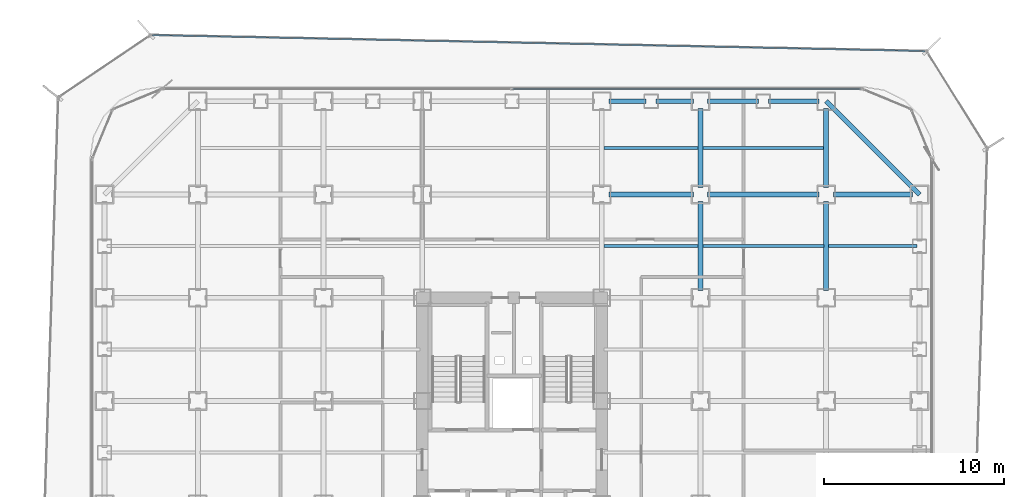
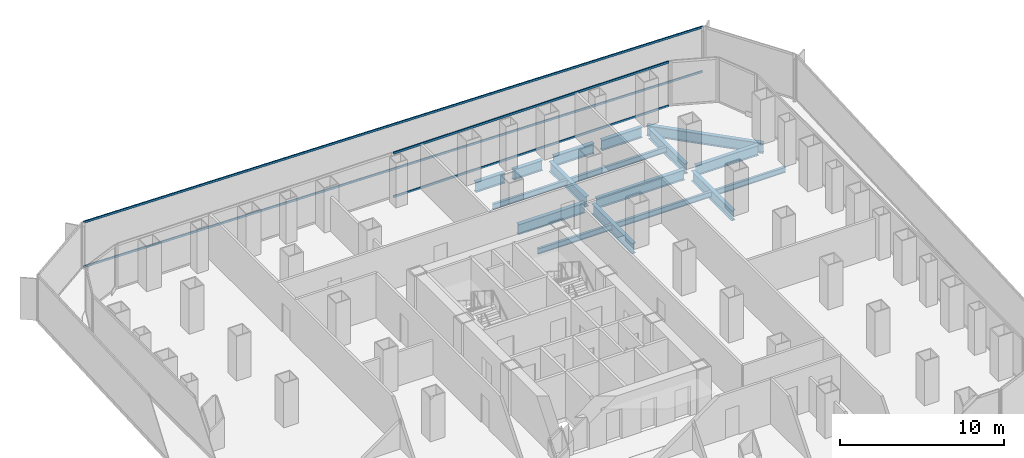
# One storey, part 14 of 21: 17 beams, 4 members, 2 elements without a shape of their own.
"""IFC4 building model written with IfcOpenShell, lengths in metres."""

import ifcopenshell
import ifcopenshell.guid

model = None  # the IFC model being written
_history = None  # IfcOwnerHistory: only IFC2X3 demands one
_inside = {}  # id of a spatial element -> (the spatial element, [elements in it])
_under = {}  # id of a project, library or spatial element -> (it, [spatial elements below it])
_declared = {}  # id of a project -> (the project, [libraries it declares])
_typed = {}  # id of a type object -> (the type object, [elements of that type])
_made_of = {}  # id of a material, layer set ... -> (it, [elements and type objects made of it])


def new_model(schema):
    """Start an empty IFC model of exactly this schema.

    Asked for "IFC4X3", IfcOpenShell would pick the latest addendum, in which some entities
    have other attributes; the version numbers below select the first issue.
    IFC2X3 requires an IfcOwnerHistory on every rooted entity: one is made here for all.
    """
    global model, _history
    if schema == "IFC4X3":
        model = ifcopenshell.file(schema_version=(4, 3, 0, 0))
    else:
        model = ifcopenshell.file(schema=schema)
    _inside.clear()
    _under.clear()
    _declared.clear()
    _typed.clear()
    _made_of.clear()
    _history = None
    if model.schema == "IFC2X3":
        org = make("IfcOrganization", Name="unknown")
        user = make(
            "IfcPersonAndOrganization",
            ThePerson=make("IfcPerson", FamilyName="unknown"),
            TheOrganization=org,
        )
        app = make(
            "IfcApplication",
            ApplicationDeveloper=org,
            Version="unknown",
            ApplicationFullName="unknown",
            ApplicationIdentifier="unknown",
        )
        _history = make(
            "IfcOwnerHistory",
            OwningUser=user,
            OwningApplication=app,
            ChangeAction="ADDED",
            CreationDate=0,
        )
    return model


def make(cls, **values):
    """One entity of the class cls with the attributes given. An attribute that is None is left unset."""
    return model.create_entity(
        cls, **{name: value for name, value in values.items() if value is not None}
    )


def rooted(cls, **values):
    """An entity with a GlobalId (a new one), such as an element, a storey or a relation."""
    return make(cls, GlobalId=ifcopenshell.guid.new(), OwnerHistory=_history, **values)


def si_unit(unit_type, name, prefix=None):
    """IfcSIUnit, for example si_unit("LENGTHUNIT", "METRE", prefix="MILLI")."""
    return make("IfcSIUnit", UnitType=unit_type, Prefix=prefix, Name=name)


def assignment(units):
    """IfcUnitAssignment: the units of a project."""
    return None if units is None else make("IfcUnitAssignment", Units=units)


def point(xyz):
    """IfcCartesianPoint."""
    return None if xyz is None else make("IfcCartesianPoint", Coordinates=xyz)


def direction(xyz):
    """IfcDirection."""
    return None if xyz is None else make("IfcDirection", DirectionRatios=xyz)


def frame(location, z_axis=None, x_axis=None):
    """IfcAxis2Placement3D, a coordinate frame: its origin and axes. An axis left out is left unset."""
    return make(
        "IfcAxis2Placement3D",
        Location=point(location),
        Axis=direction(z_axis),
        RefDirection=direction(x_axis),
    )


def frame_2d(location, x_axis=None):
    """IfcAxis2Placement2D, a coordinate frame in the plane: its origin and x axis."""
    return make(
        "IfcAxis2Placement2D", Location=point(location), RefDirection=direction(x_axis)
    )


def origin():
    """The frame at (0, 0, 0) with its axes left unset."""
    return frame((0.0, 0.0, 0.0))


def origin_2d():
    """The frame at (0, 0) in the plane with its x axis left unset."""
    return frame_2d((0.0, 0.0))


def place(relative_to, where):
    """IfcLocalPlacement: puts the frame where relative to a parent placement (None: the world)."""
    return make(
        "IfcLocalPlacement", PlacementRelTo=relative_to, RelativePlacement=where
    )


def context(
    kind, dimensions, precision=None, world=None, true_north=None, identifier=None
):
    """IfcGeometricRepresentationContext, for example the 3D "Model" context."""
    return make(
        "IfcGeometricRepresentationContext",
        ContextIdentifier=identifier,
        ContextType=kind,
        CoordinateSpaceDimension=dimensions,
        Precision=precision,
        WorldCoordinateSystem=world,
        TrueNorth=true_north,
    )


def subcontext(parent, identifier, kind, view, scale=None):
    """IfcGeometricRepresentationSubContext, for example "Body" below "Model"."""
    return make(
        "IfcGeometricRepresentationSubContext",
        ContextIdentifier=identifier,
        ContextType=kind,
        ParentContext=parent,
        TargetScale=scale,
        TargetView=view,
    )


def project(units=None, contexts=None):
    """IfcProject with its units and contexts."""
    return rooted(
        "IfcProject",
        Name="project",
        RepresentationContexts=contexts,
        UnitsInContext=assignment(units),
    )


def spatial(cls, under=None, at=None, **own):
    """A site, building, storey or space (cls), placed at a placement, below another one or the project."""
    s = rooted(cls, ObjectPlacement=at, **own)
    if under is not None:
        _under.setdefault(under.id(), (under, []))[1].append(s)
    return s


def profile(cls, at=None, kind="AREA", **sizes):
    """A parametric profile (cls). Its sizes go by their IFC names, for example OverallWidth=200.0."""
    return make(cls, ProfileType=kind, Position=at, **sizes)


def hollow_rectangle(**sizes):
    """IfcRectangleHollowProfileDef."""
    return profile("IfcRectangleHollowProfileDef", **sizes)


def i_section(**sizes):
    """IfcIShapeProfileDef."""
    return profile("IfcIShapeProfileDef", **sizes)


def extrude(swept, where, along, depth):
    """IfcExtrudedAreaSolid: the profile swept, set in the frame where, extruded along a direction by depth."""
    return make(
        "IfcExtrudedAreaSolid",
        SweptArea=swept,
        Position=where,
        ExtrudedDirection=direction(along),
        Depth=depth,
    )


def shape(context_of_items, identifier, shape_type, items):
    """IfcShapeRepresentation: the items that make up one representation, for example the "Body"."""
    return make(
        "IfcShapeRepresentation",
        ContextOfItems=context_of_items,
        RepresentationIdentifier=identifier,
        RepresentationType=shape_type,
        Items=items,
    )


def source(mapping_origin, context_of_items, identifier, shape_type, items):
    """IfcRepresentationMap: a shape defined once, which mapped items show again and again."""
    return make(
        "IfcRepresentationMap",
        MappingOrigin=mapping_origin,
        MappedRepresentation=shape(context_of_items, identifier, shape_type, items),
    )


def transform(
    local_origin,
    x_axis=None,
    y_axis=None,
    z_axis=None,
    scale=None,
    scale2=None,
    scale3=None,
    uniform=True,
):
    """IfcCartesianTransformationOperator3D, or its non-uniform kind. x_axis, y_axis, z_axis: its Axis1, 2, 3."""
    if uniform:
        return make(
            "IfcCartesianTransformationOperator3D",
            Axis1=direction(x_axis),
            Axis2=direction(y_axis),
            LocalOrigin=point(local_origin),
            Scale=scale,
            Axis3=direction(z_axis),
        )
    return make(
        "IfcCartesianTransformationOperator3DnonUniform",
        Axis1=direction(x_axis),
        Axis2=direction(y_axis),
        LocalOrigin=point(local_origin),
        Scale=scale,
        Axis3=direction(z_axis),
        Scale2=scale2,
        Scale3=scale3,
    )


def mapped(mapping_source, mapping_target):
    """IfcMappedItem: shows the shape of a source again, moved by a transform."""
    return make(
        "IfcMappedItem", MappingSource=mapping_source, MappingTarget=mapping_target
    )


def material(Name=None, Category=None):
    """IfcMaterial."""
    return make("IfcMaterial", Name=Name, Category=Category)


def layer(
    of_material, thickness, ventilated=None, Name=None, Category=None, Priority=None
):
    """IfcMaterialLayer: one layer of a wall or slab, of a material (None: an air gap)."""
    return make(
        "IfcMaterialLayer",
        Material=of_material,
        LayerThickness=thickness,
        IsVentilated=ventilated,
        Name=Name,
        Category=Category,
        Priority=Priority,
    )


def layer_set(layers, Name=None):
    """IfcMaterialLayerSet."""
    return make("IfcMaterialLayerSet", MaterialLayers=layers, LayerSetName=Name)


def material_profile(
    of_material, cross_section, Name=None, Category=None, Priority=None
):
    """IfcMaterialProfile: a cross section and its material."""
    return make(
        "IfcMaterialProfile",
        Name=Name,
        Material=of_material,
        Profile=cross_section,
        Priority=Priority,
        Category=Category,
    )


def profile_set(profiles, Name=None, composite=None):
    """IfcMaterialProfileSet."""
    return make(
        "IfcMaterialProfileSet",
        Name=Name,
        MaterialProfiles=profiles,
        CompositeProfile=composite,
    )


def made_of(thing, what):
    """Note that an element or type object is made of a material, layer set ...; save() writes the relation."""
    if what is not None:
        _made_of.setdefault(what.id(), (what, []))[1].append(thing)
    return thing


def type_object(cls, material=None, **own):
    """A type object (cls), such as IfcWallType, which elements share."""
    return made_of(rooted(cls, **own), material)


def element(
    cls,
    number,
    at=None,
    inside=None,
    cuts=None,
    type_object=None,
    material=None,
    context=None,
    identifier="Body",
    shape_type=None,
    held_by="IfcProductDefinitionShape",
    body=None,
    shapes=None,
    **own,
):
    """One element of the class cls, such as IfcWall. Its Tag is "e" and its number.

    at: its placement. inside: the storey or other place that contains it. cuts: it is an
    opening in that element (IfcRelVoidsElement). A single representation is given by context,
    identifier, shape_type and body (its items); several are given by shapes. held_by: the class
    of the entity that holds the representations. save() writes the other relations.
    """
    e = rooted(cls, Tag="e%d" % number, ObjectPlacement=at, **own)
    if body is not None:
        shapes = [shape(context, identifier, shape_type, body)]
    if shapes is not None:
        e.Representation = make(held_by, Representations=shapes)
    if inside is not None:
        _inside.setdefault(inside.id(), (inside, []))[1].append(e)
    if cuts is not None:
        rooted(
            "IfcRelVoidsElement", RelatingBuildingElement=cuts, RelatedOpeningElement=e
        )
    if type_object is not None:
        _typed.setdefault(type_object.id(), (type_object, []))[1].append(e)
    return made_of(e, material)


def aggregate(whole, parts):
    """IfcRelAggregates: a whole, such as a stair, and the parts it consists of."""
    return rooted("IfcRelAggregates", RelatingObject=whole, RelatedObjects=parts)


def save(model, path):
    """Write the relations noted so far, then the file.

    IfcRelAggregates (storeys below a building ...), IfcRelContainedInSpatialStructure (elements
    in a storey), IfcRelDefinesByType, IfcRelAssociatesMaterial and IfcRelDeclares: one each for
    every whole, place, type object, material and project.
    """
    for whole, parts in _under.values():
        aggregate(whole, parts)
    for where, things in _inside.values():
        rooted(
            "IfcRelContainedInSpatialStructure",
            RelatedElements=things,
            RelatingStructure=where,
        )
    for kind, things in _typed.values():
        rooted("IfcRelDefinesByType", RelatedObjects=things, RelatingType=kind)
    for what, things in _made_of.values():
        rooted("IfcRelAssociatesMaterial", RelatedObjects=things, RelatingMaterial=what)
    for by, libraries in _declared.values():
        rooted("IfcRelDeclares", RelatingContext=by, RelatedDefinitions=libraries)
    model.write(path)


model = new_model("IFC4")

# Units and contexts
model_context = context("Model", 3, precision=1e-05, world=origin(), true_north=direction((0.0, 1.0)))
body_context = subcontext(model_context, "Body", "Model", "MODEL_VIEW")
ifc_project = project(units=[si_unit("LENGTHUNIT", "METRE"), si_unit("AREAUNIT", "SQUARE_METRE"), si_unit("VOLUMEUNIT", "CUBIC_METRE"), si_unit("PLANEANGLEUNIT", "RADIAN"), si_unit("MASSUNIT", "GRAM", prefix="KILO")], contexts=[model_context])

# Site, building, storey
site_placement = place(None, origin())
site = spatial("IfcSite", under=ifc_project, at=site_placement, CompositionType="ELEMENT")
building_placement = place(site_placement, origin())
building = spatial("IfcBuilding", under=site, at=building_placement, Name="Kolveth Station Tower", CompositionType="ELEMENT")
storey_placement = place(building_placement, frame((0.0, 0.0, 47.699951171875)))
storey = spatial("IfcBuildingStorey", under=building, at=storey_placement, Name="L12", CompositionType="ELEMENT", Elevation=47.699951171875)

# Beams
ifc_material_1 = material(Name="Steel S355", Category="steel")
ifc_material_profile_1 = material_profile(ifc_material_1, i_section(OverallWidth=0.26904296875, OverallDepth=0.77490234375, WebThickness=0.01708984375, FlangeThickness=0.0283203125, at=origin_2d()), Name="W760x220")
ifc_profile_set_1 = profile_set([ifc_material_profile_1], Name="Steel S355")
beam_type_1 = type_object("IfcBeamType", Name="Beam_SP1", PredefinedType="SPANDREL", material=ifc_profile_set_1)
shared_shape_1 = source(origin(), body_context, "Body", "SweptSolid", [
    extrude(i_section(OverallWidth=0.26904296875, OverallDepth=0.77490234375, WebThickness=0.01708984375, FlangeThickness=0.0283203125, at=origin_2d()), origin(), (0.0, 0.0, 1.0), 7.353759765625),
])
beam_1_placement = place(storey_placement, frame((46.199951171875, 34.5, -0.66748046875), z_axis=(-0.707106781187, 0.707106781187, 0.0), x_axis=(-0.707106781187, -0.707106781187, 0.0)))
element("IfcBeam", 1, at=beam_1_placement, inside=storey, type_object=beam_type_1, Name="L12 Corner Edge Girder BM-L12-CNR-NE", PredefinedType="SPANDREL", context=body_context, shape_type="MappedRepresentation", body=[
    mapped(shared_shape_1, transform((0.0, 0.0, 0.0), x_axis=(1.0, 0.0, 0.0), y_axis=(0.0, 1.0, 0.0), z_axis=(0.0, 0.0, 1.0), scale=1.0)),
])
shared_shape_2 = source(origin(), body_context, "Body", "SweptSolid", [
    extrude(i_section(OverallWidth=0.26904296875, OverallDepth=0.77490234375, WebThickness=0.01708984375, FlangeThickness=0.0283203125, at=origin_2d()), origin(), (0.0, 0.0, 1.0), 2.820068359375),
])
for number, where, z_axis, x_axis, name in (
    (2, (34.39990234375, 39.699951171875, -0.66748046875), (1.0, 0.0, 0.0), (0.0, 1.0, 0.0), "L12 Perimeter Spandrel BM-L12-PN-9"),
    (3, (37.780029296875, 39.699951171875, -0.66748046875), (1.0, 0.0, 0.0), (0.0, 1.0, 0.0), "L12 Perimeter Spandrel BM-L12-PN-10"),
):
    element("IfcBeam", number, at=place(storey_placement, frame(where, z_axis=z_axis, x_axis=x_axis)), inside=storey, type_object=beam_type_1, Name=name, PredefinedType="SPANDREL", context=body_context, shape_type="MappedRepresentation", body=[
        mapped(shared_shape_2, transform((0.0, 0.0, 0.0), x_axis=(1.0, 0.0, 0.0), y_axis=(0.0, 1.0, 0.0), z_axis=(0.0, 0.0, 1.0), scale=1.0)),
    ])
shared_shape_3 = source(origin(), body_context, "Body", "SweptSolid", [
    extrude(i_section(OverallWidth=0.26904296875, OverallDepth=0.77490234375, WebThickness=0.01708984375, FlangeThickness=0.0283203125, at=origin_2d()), origin(), (0.0, 0.0, 1.0), 2.070068359375),
])
for number, where, z_axis, x_axis, name in (
    (4, (28.89990234375, 39.699951171875, -0.66748046875), (1.0, 0.0, 0.0), (0.0, 1.0, 0.0), "L12 Perimeter Spandrel BM-L12-PN-7"),
    (5, (31.530029296875, 39.699951171875, -0.66748046875), (1.0, 0.0, 0.0), (0.0, 1.0, 0.0), "L12 Perimeter Spandrel BM-L12-PN-8"),
):
    element("IfcBeam", number, at=place(storey_placement, frame(where, z_axis=z_axis, x_axis=x_axis)), inside=storey, type_object=beam_type_1, Name=name, PredefinedType="SPANDREL", context=body_context, shape_type="MappedRepresentation", body=[
        mapped(shared_shape_3, transform((0.0, 0.0, 0.0), x_axis=(1.0, 0.0, 0.0), y_axis=(0.0, 1.0, 0.0), z_axis=(0.0, 0.0, 1.0), scale=1.0)),
    ])
ifc_material_profile_2 = material_profile(ifc_material_1, i_section(OverallWidth=0.26708984375, OverallDepth=0.76611328125, WebThickness=0.014892578125, FlangeThickness=0.023681640625, at=origin_2d()), Name="W760x185")
ifc_profile_set_2 = profile_set([ifc_material_profile_2], Name="Steel S355")
beam_type_2 = type_object("IfcBeamType", Name="Beam_B3", PredefinedType="BEAM", material=ifc_profile_set_2)
shared_shape_4 = source(origin(), body_context, "Body", "SweptSolid", [
    extrude(i_section(OverallWidth=0.26708984375, OverallDepth=0.76611328125, WebThickness=0.014892578125, FlangeThickness=0.023681640625, at=origin_2d()), origin(), (0.0, 0.0, 1.0), 4.400146484375),
])
for number, where, z_axis, x_axis, name in (
    (6, (41.39990234375, 34.5, -0.662841796875), (1.0, 0.0, 0.0), (0.0, 1.0, 0.0), "L12 Primary Girder BM-L12-GY345-7"),
    (7, (34.0, 34.89990234375, -0.662841796875), (0.0, 1.0, 0.0), (-1.0, 0.0, 0.0), "L12 Primary Girder BM-L12-GX340-7"),
    (8, (41.0, 34.89990234375, -0.662841796875), (0.0, 1.0, 0.0), (-1.0, 0.0, 0.0), "L12 Primary Girder BM-L12-GX410-7"),
):
    element("IfcBeam", number, at=place(storey_placement, frame(where, z_axis=z_axis, x_axis=x_axis)), inside=storey, type_object=beam_type_2, Name=name, PredefinedType="BEAM", context=body_context, shape_type="MappedRepresentation", body=[
        mapped(shared_shape_4, transform((0.0, 0.0, 0.0), x_axis=(1.0, 0.0, 0.0), y_axis=(0.0, 1.0, 0.0), z_axis=(0.0, 0.0, 1.0), scale=1.0)),
    ])
shared_shape_5 = source(origin(), body_context, "Body", "SweptSolid", [
    extrude(i_section(OverallWidth=0.26708984375, OverallDepth=0.76611328125, WebThickness=0.014892578125, FlangeThickness=0.023681640625, at=origin_2d()), origin(), (0.0, 0.0, 1.0), 6.2001953125),
])
beam_2_placement = place(storey_placement, frame((34.39990234375, 34.5, -0.662841796875), z_axis=(1.0, 0.0, 0.0), x_axis=(0.0, 1.0, 0.0)))
element("IfcBeam", 9, at=beam_2_placement, inside=storey, type_object=beam_type_2, Name="L12 Primary Girder BM-L12-GY345-6", PredefinedType="BEAM", context=body_context, shape_type="MappedRepresentation", body=[
    mapped(shared_shape_5, transform((0.0, 0.0, 0.0), x_axis=(1.0, 0.0, 0.0), y_axis=(0.0, 1.0, 0.0), z_axis=(0.0, 0.0, 1.0), scale=1.0)),
])
shared_shape_6 = source(origin(), body_context, "Body", "SweptSolid", [
    extrude(i_section(OverallWidth=0.26708984375, OverallDepth=0.76611328125, WebThickness=0.014892578125, FlangeThickness=0.023681640625, at=origin_2d()), origin(), (0.0, 0.0, 1.0), 4.7001953125),
])
beam_3_placement = place(storey_placement, frame((28.89990234375, 34.5, -0.662841796875), z_axis=(1.0, 0.0, 0.0), x_axis=(0.0, 1.0, 0.0)))
element("IfcBeam", 10, at=beam_3_placement, inside=storey, type_object=beam_type_2, Name="L12 Primary Girder BM-L12-GY345-5", PredefinedType="BEAM", context=body_context, shape_type="MappedRepresentation", body=[
    mapped(shared_shape_6, transform((0.0, 0.0, 0.0), x_axis=(1.0, 0.0, 0.0), y_axis=(0.0, 1.0, 0.0), z_axis=(0.0, 0.0, 1.0), scale=1.0)),
])
shared_shape_7 = source(origin(), body_context, "Body", "SweptSolid", [
    extrude(i_section(OverallWidth=0.26708984375, OverallDepth=0.76611328125, WebThickness=0.014892578125, FlangeThickness=0.023681640625, at=origin_2d()), origin(), (0.0, 0.0, 1.0), 4.9501953125),
])
for number, where, z_axis, x_axis, name in (
    (11, (34.0, 29.14990234375, -0.662841796875), (0.0, 1.0, 0.0), (-1.0, 0.0, 0.0), "L12 Primary Girder BM-L12-GX340-6"),
    (12, (41.0, 29.14990234375, -0.662841796875), (0.0, 1.0, 0.0), (-1.0, 0.0, 0.0), "L12 Primary Girder BM-L12-GX410-6"),
):
    element("IfcBeam", number, at=place(storey_placement, frame(where, z_axis=z_axis, x_axis=x_axis)), inside=storey, type_object=beam_type_2, Name=name, PredefinedType="BEAM", context=body_context, shape_type="MappedRepresentation", body=[
        mapped(shared_shape_7, transform((0.0, 0.0, 0.0), x_axis=(1.0, 0.0, 0.0), y_axis=(0.0, 1.0, 0.0), z_axis=(0.0, 0.0, 1.0), scale=1.0)),
    ])
ifc_material_profile_3 = material_profile(ifc_material_1, i_section(OverallWidth=0.177978515625, OverallDepth=0.406982421875, WebThickness=0.0078125, FlangeThickness=0.0126953125, at=origin_2d()), Name="W410x60")
ifc_profile_set_3 = profile_set([ifc_material_profile_3], Name="Steel S355")
beam_type_3 = type_object("IfcBeamType", Name="Beam_J1", PredefinedType="JOIST", material=ifc_profile_set_3)
shared_shape_8 = source(origin(), body_context, "Body", "SweptSolid", [
    extrude(i_section(OverallWidth=0.177978515625, OverallDepth=0.406982421875, WebThickness=0.0078125, FlangeThickness=0.0126953125, at=origin_2d()), origin(), (0.0, 0.0, 1.0), 4.935791015625),
])
beam_4_placement = place(storey_placement, frame((41.131591796875, 31.625, -0.4833984375), z_axis=(1.0, 0.0, 0.0), x_axis=(0.0, 1.0, 0.0)))
element("IfcBeam", 13, at=beam_4_placement, inside=storey, type_object=beam_type_3, Name="L12 Secondary Joist JST-L12-7-6", PredefinedType="JOIST", context=body_context, shape_type="MappedRepresentation", body=[
    mapped(shared_shape_8, transform((0.0, 0.0, 0.0), x_axis=(1.0, 0.0, 0.0), y_axis=(0.0, 1.0, 0.0), z_axis=(0.0, 0.0, 1.0), scale=1.0)),
])
shared_shape_9 = source(origin(), body_context, "Body", "SweptSolid", [
    extrude(i_section(OverallWidth=0.177978515625, OverallDepth=0.406982421875, WebThickness=0.0078125, FlangeThickness=0.0126953125, at=origin_2d()), origin(), (0.0, 0.0, 1.0), 6.73681640625),
])
for number, where, z_axis, x_axis, name in (
    (14, (34.131591796875, 31.625, -0.4833984375), (1.0, 0.0, 0.0), (0.0, 1.0, 0.0), "L12 Secondary Joist JST-L12-6-6"),
    (15, (34.131591796875, 37.10009765625, -0.4833984375), (1.0, 0.0, 0.0), (0.0, 1.0, 0.0), "L12 Secondary Joist JST-L12-6-7"),
):
    element("IfcBeam", number, at=place(storey_placement, frame(where, z_axis=z_axis, x_axis=x_axis)), inside=storey, type_object=beam_type_3, Name=name, PredefinedType="JOIST", context=body_context, shape_type="MappedRepresentation", body=[
        mapped(shared_shape_9, transform((0.0, 0.0, 0.0), x_axis=(1.0, 0.0, 0.0), y_axis=(0.0, 1.0, 0.0), z_axis=(0.0, 0.0, 1.0), scale=1.0)),
    ])
shared_shape_10 = source(origin(), body_context, "Body", "SweptSolid", [
    extrude(i_section(OverallWidth=0.177978515625, OverallDepth=0.406982421875, WebThickness=0.0078125, FlangeThickness=0.0126953125, at=origin_2d()), origin(), (0.0, 0.0, 1.0), 5.23681640625),
])
for number, where, z_axis, x_axis, name in (
    (16, (28.631591796875, 31.625, -0.4833984375), (1.0, 0.0, 0.0), (0.0, 1.0, 0.0), "L12 Secondary Joist JST-L12-5-6"),
    (17, (28.631591796875, 37.10009765625, -0.4833984375), (1.0, 0.0, 0.0), (0.0, 1.0, 0.0), "L12 Secondary Joist JST-L12-5-7"),
):
    element("IfcBeam", number, at=place(storey_placement, frame(where, z_axis=z_axis, x_axis=x_axis)), inside=storey, type_object=beam_type_3, Name=name, PredefinedType="JOIST", context=body_context, shape_type="MappedRepresentation", body=[
        mapped(shared_shape_10, transform((0.0, 0.0, 0.0), x_axis=(1.0, 0.0, 0.0), y_axis=(0.0, 1.0, 0.0), z_axis=(0.0, 0.0, 1.0), scale=1.0)),
    ])

# Curtain wall, members
ifc_material_2 = material(Name="Aluminium 6063-T6 and low-E dark glass", Category="aluminium")
ifc_layer_1 = layer(ifc_material_2, 0.179931640625)
ifc_layer_set_1 = layer_set([ifc_layer_1], Name="Aluminium 6063-T6 and low-E dark glass")
curtain_wall_type_1 = type_object("IfcCurtainWallType", Name="CurtainWall_CW-Z1", PredefinedType="NOTDEFINED", material=ifc_layer_set_1)
curtain_wall_1_placement = place(storey_placement, origin())
curtain_wall_1 = element("IfcCurtainWall", 18, at=curtain_wall_1_placement, inside=storey, type_object=curtain_wall_type_1, Name="L12 Inner Thermal Curtain Wall 6", PredefinedType="NOTDEFINED")
ifc_material_3 = material(Name="Black anodized aluminium 6063-T6", Category="aluminium")
ifc_material_profile_4 = material_profile(ifc_material_3, hollow_rectangle(XDim=0.074951171875, YDim=0.159912109375, WallThickness=0.0048828125, at=origin_2d()), Name="ALU-75x160x5")
ifc_profile_set_4 = profile_set([ifc_material_profile_4], Name="Black anodized aluminium 6063-T6")
member_type_1 = type_object("IfcMemberType", Name="Transom_TR1", PredefinedType="USERDEFINED", material=ifc_profile_set_4)
shared_shape_11 = source(origin(), body_context, "Body", "SweptSolid", [
    extrude(hollow_rectangle(XDim=0.074951171875, YDim=0.159912109375, WallThickness=0.0048828125, at=origin_2d()), origin(), (0.0, 0.0, 1.0), 19.387451171875),
])
member_1_placement = place(storey_placement, frame((42.925048828125, 40.3798828125, 0.03759765625), z_axis=(-1.0, 0.0, 0.0), x_axis=(0.0, -1.0, 0.0)))
member_1 = element("IfcMember", 19, at=member_1_placement, type_object=member_type_1, Name="CW-Z1 transom 1.1", ObjectType="TRANSOM", PredefinedType="USERDEFINED", context=body_context, shape_type="MappedRepresentation", body=[
    mapped(shared_shape_11, transform((0.0, 0.0, 0.0), x_axis=(1.0, 0.0, 0.0), y_axis=(0.0, 1.0, 0.0), z_axis=(0.0, 0.0, 1.0), scale=1.0)),
])
member_2_placement = place(storey_placement, frame((42.925048828125, 40.3798828125, 3.282470703125), z_axis=(-1.0, 0.0, 0.0), x_axis=(0.0, -1.0, 0.0)))
member_2 = element("IfcMember", 20, at=member_2_placement, type_object=member_type_1, Name="CW-Z1 transom 1.2", ObjectType="TRANSOM", PredefinedType="USERDEFINED", context=body_context, shape_type="MappedRepresentation", body=[
    mapped(shared_shape_11, transform((0.0, 0.0, 0.0), x_axis=(1.0, 0.0, 0.0), y_axis=(0.0, 1.0, 0.0), z_axis=(0.0, 0.0, 1.0), scale=1.0)),
])
aggregate(curtain_wall_1, [member_1, member_2])

ifc_material_4 = material(Name="Black anodized aluminium 6063-T6 and dark solar glass", Category="aluminium")
ifc_layer_2 = layer(ifc_material_4, 0.159912109375)
ifc_layer_set_2 = layer_set([ifc_layer_2], Name="Black anodized aluminium 6063-T6 and dark solar glass")
curtain_wall_type_2 = type_object("IfcCurtainWallType", Name="OUTER SKIN CW-OS", PredefinedType="NOTDEFINED", material=ifc_layer_set_2)
curtain_wall_2_placement = place(storey_placement, origin())
curtain_wall_2 = element("IfcCurtainWall", 21, at=curtain_wall_2_placement, inside=storey, type_object=curtain_wall_type_2, Name="L12 Outer Ventilated Skin Curtain Wall 4", PredefinedType="NOTDEFINED")
ifc_material_profile_5 = material_profile(ifc_material_3, hollow_rectangle(XDim=0.080078125, YDim=0.14990234375, WallThickness=0.0048828125, at=origin_2d()), Name="ALU-80x150x5")
ifc_profile_set_5 = profile_set([ifc_material_profile_5], Name="Black anodized aluminium 6063-T6")
member_type_2 = type_object("IfcMemberType", Name="Transom_TR-OS", PredefinedType="USERDEFINED", material=ifc_profile_set_5)
shared_shape_12 = source(origin(), body_context, "Body", "SweptSolid", [
    extrude(hollow_rectangle(XDim=0.080078125, YDim=0.14990234375, WallThickness=0.0048828125, at=origin_2d()), origin(), (0.0, 0.0, 1.0), 43.061279296875),
])
member_3_placement = place(storey_placement, frame((46.51171875, 42.49072265625, 0.0400390625), z_axis=(-0.999786323127, 0.020671431681, 0.0), x_axis=(-0.020671431681, -0.999786323127, 0.0)))
member_3 = element("IfcMember", 22, at=member_3_placement, type_object=member_type_2, Name="CW-OS transom 1.1", ObjectType="TRANSOM", PredefinedType="USERDEFINED", context=body_context, shape_type="MappedRepresentation", body=[
    mapped(shared_shape_12, transform((0.0, 0.0, 0.0), x_axis=(1.0, 0.0, 0.0), y_axis=(0.0, 1.0, 0.0), z_axis=(0.0, 0.0, 1.0), scale=1.0)),
])
member_4_placement = place(storey_placement, frame((46.51171875, 42.49072265625, 3.35009765625), z_axis=(-0.999786323127, 0.020671431681, 0.0), x_axis=(-0.020671431681, -0.999786323127, 0.0)))
member_4 = element("IfcMember", 23, at=member_4_placement, type_object=member_type_2, Name="CW-OS transom 1.2", ObjectType="TRANSOM", PredefinedType="USERDEFINED", context=body_context, shape_type="MappedRepresentation", body=[
    mapped(shared_shape_12, transform((0.0, 0.0, 0.0), x_axis=(1.0, 0.0, 0.0), y_axis=(0.0, 1.0, 0.0), z_axis=(0.0, 0.0, 1.0), scale=1.0)),
])
aggregate(curtain_wall_2, [member_3, member_4])

save(model, "model.ifc")
